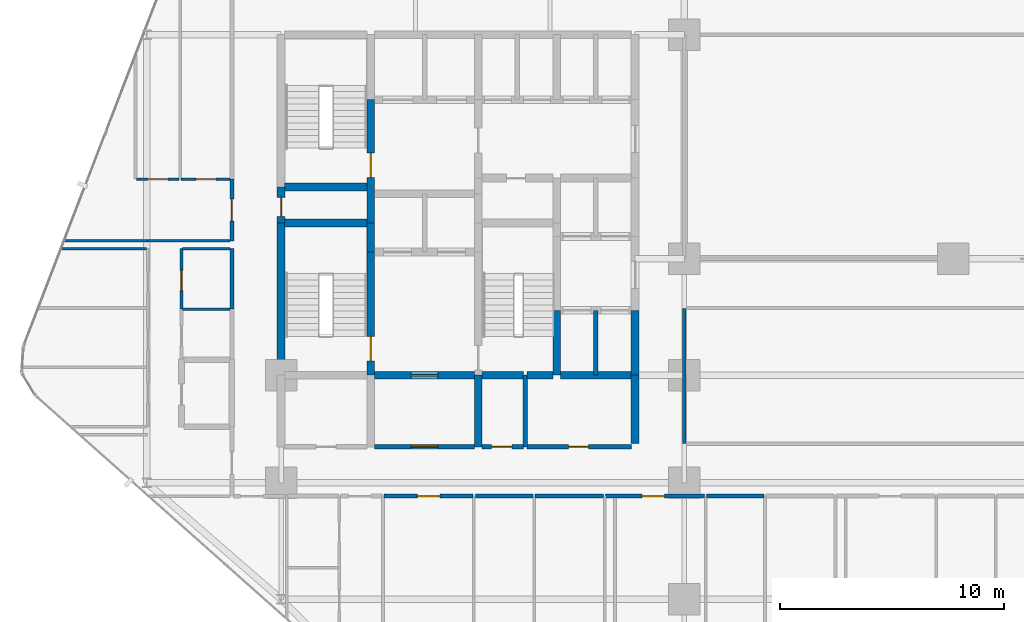
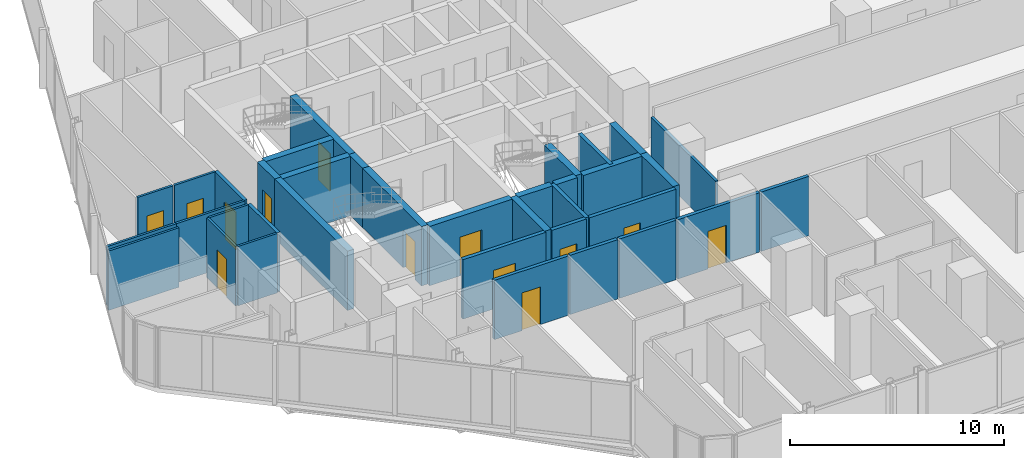
# One storey, part 28 of 35: 36 walls, 13 doors, 13 openings.
"""IFC4 building model written with IfcOpenShell, lengths in metres."""

from ifc_helpers import new_model, si_unit, direction, frame, frame_2d, origin, place, context, subcontext, project, spatial, rectangle, extrude, material, layer, layer_set, type_object, element, fill, save


model = new_model("IFC4")

# Units and contexts
model_context = context("Model", 3, precision=1e-05, world=origin(), true_north=direction((0.0, 1.0)))
body_context = subcontext(model_context, "Body", "Model", "MODEL_VIEW")
ifc_project = project(units=[si_unit("LENGTHUNIT", "METRE"), si_unit("AREAUNIT", "SQUARE_METRE"), si_unit("VOLUMEUNIT", "CUBIC_METRE"), si_unit("PLANEANGLEUNIT", "RADIAN"), si_unit("MASSUNIT", "GRAM", prefix="KILO")], contexts=[model_context])

# Site, building, storey
site_placement = place(None, origin())
site = spatial("IfcSite", under=ifc_project, at=site_placement, CompositionType="ELEMENT")
building_placement = place(site_placement, origin())
building = spatial("IfcBuilding", under=site, at=building_placement, Name="Keshet Zoharim Tower", CompositionType="ELEMENT")
storey_placement = place(building_placement, frame((0.0, 0.0, 24.0)))
storey = spatial("IfcBuildingStorey", under=building, at=storey_placement, Name="L04", CompositionType="ELEMENT", Elevation=24.0)

# Walls
ifc_material_1 = material(Name="Gypsum Plasterboard", Category="gypsum")
ifc_layer_1 = layer(ifc_material_1, 0.14990234375)
ifc_layer_set_1 = layer_set([ifc_layer_1], Name="Gypsum Plasterboard")
wall_type_1 = type_object("IfcWallType", Name="WL-CLIN-150", PredefinedType="STANDARD", material=ifc_layer_set_1)
wall_1_placement = place(storey_placement, frame((33.0, 19.659912109375, 0.0), z_axis=(0.0, 0.0, 1.0), x_axis=(0.0, 1.0, 0.0)))
element("IfcWall", 1, at=wall_1_placement, inside=storey, type_object=wall_type_1, Name="L04 Interior Wall 072", PredefinedType="STANDARD", context=body_context, shape_type="SweptSolid", body=[
    extrude(rectangle(XDim=6.030029296875, YDim=0.14990234375, at=frame_2d((3.01513671875, 0.0))), origin(), (0.0, 0.0, 1.0), 2.885009765625),
])
ifc_material_2 = material(Name="Concrete C60/75", Category="concrete")
ifc_layer_2 = layer(ifc_material_2, 0.35009765625)
ifc_layer_set_2 = layer_set([ifc_layer_2], Name="Concrete C60/75")
wall_type_2 = type_object("IfcWallType", Name="WL-CORE-350", PredefinedType="SHEAR", material=ifc_layer_set_2)
wall_2_placement = place(storey_placement, frame((15.0, 22.699951171875, 0.0), z_axis=(0.0, 0.0, 1.0), x_axis=(0.0, 1.0, 0.0)))
element("IfcWall", 2, at=wall_2_placement, inside=storey, type_object=wall_type_2, Name="L04 Core Shear Wall 016", PredefinedType="SHEAR", context=body_context, shape_type="SweptSolid", body=[
    extrude(rectangle(XDim=6.800048828125, YDim=0.35009765625, at=frame_2d((3.39990234375, 0.0))), origin(), (0.0, 0.0, 1.0), 3.385009765625),
])

# Wall, opening, door
wall_3_placement = place(storey_placement, frame((15.0, 29.5, 0.0), z_axis=(0.0, 0.0, 1.0), x_axis=(0.0, 1.0, 0.0)))
wall_3 = element("IfcWall", 3, at=wall_3_placement, inside=storey, type_object=wall_type_2, Name="L04 Core Shear Wall 017", PredefinedType="SHEAR", context=body_context, shape_type="SweptSolid", body=[
    extrude(rectangle(XDim=1.60009765625, YDim=0.35009765625, at=frame_2d((0.800048828125, 0.0))), origin(), (0.0, 0.0, 1.0), 3.385009765625),
])
opening_1_placement = place(wall_3_placement, frame((0.287109375, 0.0, 0.0)))
opening_1 = element("IfcOpeningElement", 4, at=opening_1_placement, cuts=wall_3, Name="Opening D-RS85", PredefinedType="OPENING", context=body_context, shape_type="SweptSolid", body=[
    extrude(rectangle(XDim=0.85009765625, YDim=2.10009765625, at=frame_2d((0.425048828125, 1.050048828125))), frame((0.0, 0.18505859375, 0.0), z_axis=(0.0, -1.0, 0.0), x_axis=(1.0, 0.0, 0.0)), (0.0, 0.0, 1.0), 0.3701171875),
])
ifc_material_3 = material(Name="Hardwood Timber", Category="wood")
door_type_1 = type_object("IfcDoorType", Name="DR-RIS-085", OperationType="NOTDEFINED", PredefinedType="DOOR", material=ifc_material_3)
door_1_placement = place(opening_1_placement, origin())
door_1 = element("IfcDoor", 5, at=door_1_placement, inside=storey, type_object=door_type_1, Name="L04 Electrical Riser Access Cupboard Door", OperationType="SINGLE_SWING_RIGHT", OverallHeight=2.10009765625, OverallWidth=0.85009765625, PredefinedType="DOOR", context=body_context, shape_type="SweptSolid", body=[
    extrude(rectangle(XDim=0.85009765625, YDim=2.10009765625, at=frame_2d((0.425048828125, 1.050048828125))), frame((0.0, 0.02490234375, 0.0), z_axis=(0.0, -1.0, 0.0), x_axis=(1.0, 0.0, 0.0)), (0.0, 0.0, 1.0), 0.050048828125),
])
fill(opening_1, door_1)

wall_4_placement = place(storey_placement, frame((19.0, 22.699951171875, 0.0), z_axis=(0.0, 0.0, 1.0), x_axis=(0.0, 1.0, 0.0)))
wall_4 = element("IfcWall", 6, at=wall_4_placement, inside=storey, type_object=wall_type_2, Name="L04 Core Shear Wall 026", PredefinedType="SHEAR", context=body_context, shape_type="SweptSolid", body=[
    extrude(rectangle(XDim=5.5, YDim=0.35009765625, at=frame_2d((2.75, 0.0))), origin(), (0.0, 0.0, 1.0), 3.385009765625),
])
opening_2_placement = place(wall_4_placement, frame((0.631103515625, 0.0, 0.0)))
opening_2 = element("IfcOpeningElement", 7, at=opening_2_placement, cuts=wall_4, Name="Opening D-F611", PredefinedType="OPENING", context=body_context, shape_type="SweptSolid", body=[
    extrude(rectangle(XDim=1.10009765625, YDim=2.14990234375, at=frame_2d((0.550048828125, 1.074951171875))), frame((0.0, 0.18505859375, 0.0), z_axis=(0.0, -1.0, 0.0), x_axis=(1.0, 0.0, 0.0)), (0.0, 0.0, 1.0), 0.3701171875),
])
door_type_2 = type_object("IfcDoorType", Name="DR-FD60-110", OperationType="NOTDEFINED", PredefinedType="DOOR", material=ifc_material_3)
door_2_placement = place(opening_2_placement, origin())
door_2 = element("IfcDoor", 8, at=door_2_placement, inside=storey, type_object=door_type_2, Name="L04 Exit Stair ST-01 Fire Door", OperationType="SINGLE_SWING_LEFT", OverallHeight=2.14990234375, OverallWidth=1.10009765625, PredefinedType="DOOR", context=body_context, shape_type="SweptSolid", body=[
    extrude(rectangle(XDim=1.10009765625, YDim=2.14990234375, at=frame_2d((0.550048828125, 1.074951171875))), frame((0.0, 0.02490234375, 0.0), z_axis=(0.0, -1.0, 0.0), x_axis=(1.0, 0.0, 0.0)), (0.0, 0.0, 1.0), 0.050048828125),
])
fill(opening_2, door_2)

# Wall
wall_5_placement = place(storey_placement, frame((19.0, 28.199951171875, 0.0), z_axis=(0.0, 0.0, 1.0), x_axis=(0.0, 1.0, 0.0)))
element("IfcWall", 9, at=wall_5_placement, inside=storey, type_object=wall_type_2, Name="L04 Core Shear Wall 027", PredefinedType="SHEAR", context=body_context, shape_type="SweptSolid", body=[
    extrude(rectangle(XDim=1.300048828125, YDim=0.35009765625, at=frame_2d((0.64990234375, 0.0))), origin(), (0.0, 0.0, 1.0), 3.385009765625),
])

# Wall, opening, door
wall_6_placement = place(storey_placement, frame((19.0, 29.5, 0.0), z_axis=(0.0, 0.0, 1.0), x_axis=(0.0, 1.0, 0.0)))
wall_6 = element("IfcWall", 10, at=wall_6_placement, inside=storey, type_object=wall_type_2, Name="L04 Core Shear Wall 028", PredefinedType="SHEAR", context=body_context, shape_type="SweptSolid", body=[
    extrude(rectangle(XDim=5.5, YDim=0.35009765625, at=frame_2d((2.75, 0.0))), origin(), (0.0, 0.0, 1.0), 3.385009765625),
])
opening_3_placement = place(wall_6_placement, frame((2.02490234375, 0.0, 0.0)))
opening_3 = element("IfcOpeningElement", 11, at=opening_3_placement, cuts=wall_6, Name="Opening D-F611", PredefinedType="OPENING", context=body_context, shape_type="SweptSolid", body=[
    extrude(rectangle(XDim=1.10009765625, YDim=2.14990234375, at=frame_2d((0.550048828125, 1.074951171875))), frame((0.0, 0.18505859375, 0.0), z_axis=(0.0, -1.0, 0.0), x_axis=(1.0, 0.0, 0.0)), (0.0, 0.0, 1.0), 0.3701171875),
])
door_3_placement = place(opening_3_placement, origin())
door_3 = element("IfcDoor", 12, at=door_3_placement, inside=storey, type_object=door_type_2, Name="L04 Exit Stair ST-02 Fire Door", OperationType="SINGLE_SWING_RIGHT", OverallHeight=2.14990234375, OverallWidth=1.10009765625, PredefinedType="DOOR", context=body_context, shape_type="SweptSolid", body=[
    extrude(rectangle(XDim=1.10009765625, YDim=2.14990234375, at=frame_2d((0.550048828125, 1.074951171875))), frame((0.0, 0.02490234375, 0.0), z_axis=(0.0, -1.0, 0.0), x_axis=(1.0, 0.0, 0.0)), (0.0, 0.0, 1.0), 0.050048828125),
])
fill(opening_3, door_3)

# Walls
wall_7_placement = place(storey_placement, frame((23.800048828125, 19.5, 0.0), z_axis=(0.0, 0.0, 1.0), x_axis=(0.0, 1.0, 0.0)))
element("IfcWall", 13, at=wall_7_placement, inside=storey, type_object=wall_type_2, Name="L04 Core Shear Wall 040", PredefinedType="SHEAR", context=body_context, shape_type="SweptSolid", body=[
    extrude(rectangle(XDim=3.199951171875, YDim=0.35009765625, at=frame_2d((1.60009765625, 0.0))), origin(), (0.0, 0.0, 1.0), 3.385009765625),
])
wall_8_placement = place(storey_placement, frame((27.300048828125, 22.699951171875, 0.0), z_axis=(0.0, 0.0, 1.0), x_axis=(0.0, 1.0, 0.0)))
element("IfcWall", 14, at=wall_8_placement, inside=storey, type_object=wall_type_2, Name="L04 Core Shear Wall 051", PredefinedType="SHEAR", context=body_context, shape_type="SweptSolid", body=[
    extrude(rectangle(XDim=2.900146484375, YDim=0.35009765625, at=frame_2d((1.4501953125, 0.0))), origin(), (0.0, 0.0, 1.0), 3.385009765625),
])
wall_9_placement = place(storey_placement, frame((30.800048828125, 19.64990234375, 0.0), z_axis=(0.0, 0.0, 1.0), x_axis=(0.0, 1.0, 0.0)))
element("IfcWall", 15, at=wall_9_placement, inside=storey, type_object=wall_type_2, Name="L04 Core Shear Wall 066", PredefinedType="SHEAR", context=body_context, shape_type="SweptSolid", body=[
    extrude(rectangle(XDim=3.050048828125, YDim=0.35009765625, at=frame_2d((1.52490234375, 0.0))), origin(), (0.0, 0.0, 1.0), 3.385009765625),
])
wall_10_placement = place(storey_placement, frame((30.800048828125, 22.699951171875, 0.0), z_axis=(0.0, 0.0, 1.0), x_axis=(0.0, 1.0, 0.0)))
element("IfcWall", 16, at=wall_10_placement, inside=storey, type_object=wall_type_2, Name="L04 Core Shear Wall 067", PredefinedType="SHEAR", context=body_context, shape_type="SweptSolid", body=[
    extrude(rectangle(XDim=2.900146484375, YDim=0.35009765625, at=frame_2d((1.4501953125, 0.0))), origin(), (0.0, 0.0, 1.0), 3.385009765625),
])

# Wall, opening, door
wall_11_placement = place(storey_placement, frame((19.159912109375, 22.699951171875, 0.0), z_axis=(0.0, 0.0, 1.0), x_axis=(1.0, 0.0, 0.0)))
wall_11 = element("IfcWall", 17, at=wall_11_placement, inside=storey, type_object=wall_type_2, Name="L04 Core Shear Wall 172", PredefinedType="SHEAR", context=body_context, shape_type="SweptSolid", body=[
    extrude(rectangle(XDim=4.47998046875, YDim=0.35009765625, at=frame_2d((2.239990234375, 0.0))), origin(), (0.0, 0.0, 1.0), 3.385009765625),
])
opening_4_placement = place(wall_11_placement, frame((1.639892578125, 0.0, 0.0)))
opening_4 = element("IfcOpeningElement", 18, at=opening_4_placement, cuts=wall_11, Name="Opening D-F612", PredefinedType="OPENING", context=body_context, shape_type="SweptSolid", body=[
    extrude(rectangle(XDim=1.199951171875, YDim=2.199951171875, at=frame_2d((0.60009765625, 1.10009765625))), frame((0.0, 0.18505859375, 0.0), z_axis=(0.0, -1.0, 0.0), x_axis=(1.0, 0.0, 0.0)), (0.0, 0.0, 1.0), 0.3701171875),
])
door_type_3 = type_object("IfcDoorType", Name="DR-FD60-120", OperationType="NOTDEFINED", PredefinedType="DOOR", material=ifc_material_3)
door_4_placement = place(opening_4_placement, origin())
door_4 = element("IfcDoor", 19, at=door_4_placement, inside=storey, type_object=door_type_3, Name="L04 South Core Lobby Fire Door", OperationType="SINGLE_SWING_RIGHT", OverallHeight=2.199951171875, OverallWidth=1.199951171875, PredefinedType="DOOR", context=body_context, shape_type="SweptSolid", body=[
    extrude(rectangle(XDim=1.199951171875, YDim=2.199951171875, at=frame_2d((0.60009765625, 1.10009765625))), frame((0.0, 0.02490234375, 0.0), z_axis=(0.0, -1.0, 0.0), x_axis=(1.0, 0.0, 0.0)), (0.0, 0.0, 1.0), 0.050048828125),
])
fill(opening_4, door_4)

# Walls
wall_12_placement = place(storey_placement, frame((23.9599609375, 22.699951171875, 0.0), z_axis=(0.0, 0.0, 1.0), x_axis=(1.0, 0.0, 0.0)))
element("IfcWall", 20, at=wall_12_placement, inside=storey, type_object=wall_type_2, Name="L04 Core Shear Wall 173", PredefinedType="SHEAR", context=body_context, shape_type="SweptSolid", body=[
    extrude(rectangle(XDim=1.85498046875, YDim=0.35009765625, at=frame_2d((0.927490234375, 0.0))), origin(), (0.0, 0.0, 1.0), 3.385009765625),
])
wall_13_placement = place(storey_placement, frame((25.985107421875, 22.699951171875, 0.0), z_axis=(0.0, 0.0, 1.0), x_axis=(1.0, 0.0, 0.0)))
element("IfcWall", 21, at=wall_13_placement, inside=storey, type_object=wall_type_2, Name="L04 Core Shear Wall 174", PredefinedType="SHEAR", context=body_context, shape_type="SweptSolid", body=[
    extrude(rectangle(XDim=1.15478515625, YDim=0.35009765625, at=frame_2d((0.577392578125, 0.0))), origin(), (0.0, 0.0, 1.0), 3.385009765625),
])
wall_14_placement = place(storey_placement, frame((27.4599609375, 22.699951171875, 0.0), z_axis=(0.0, 0.0, 1.0), x_axis=(1.0, 0.0, 0.0)))
element("IfcWall", 22, at=wall_14_placement, inside=storey, type_object=wall_type_2, Name="L04 Core Shear Wall 175", PredefinedType="SHEAR", context=body_context, shape_type="SweptSolid", body=[
    extrude(rectangle(XDim=3.179931640625, YDim=0.35009765625, at=frame_2d((1.58984375, 0.0))), origin(), (0.0, 0.0, 1.0), 3.385009765625),
])
for number, where, z_axis, x_axis, name in (
    (23, (15.159912109375, 29.5, 0.0), (0.0, 0.0, 1.0), (1.0, 0.0, 0.0), "L04 Core Shear Wall 189"),
    (24, (15.159912109375, 31.10009765625, 0.0), (0.0, 0.0, 1.0), (1.0, 0.0, 0.0), "L04 Core Shear Wall 192"),
):
    element("IfcWall", number, at=place(storey_placement, frame(where, z_axis=z_axis, x_axis=x_axis)), inside=storey, type_object=wall_type_2, Name=name, PredefinedType="SHEAR", context=body_context, shape_type="SweptSolid", body=[
        extrude(rectangle(XDim=3.68017578125, YDim=0.35009765625, at=frame_2d((1.840087890625, 0.0))), origin(), (0.0, 0.0, 1.0), 3.385009765625),
    ])
ifc_layer_3 = layer(ifc_material_1, 0.179931640625)
ifc_layer_set_3 = layer_set([ifc_layer_3], Name="Gypsum Plasterboard")
wall_type_3 = type_object("IfcWallType", Name="WL-CORR-180", PredefinedType="STANDARD", material=ifc_layer_set_3)
wall_15_placement = place(storey_placement, frame((12.800048828125, 25.64697265625, 0.0), z_axis=(0.0, 0.0, 1.0), x_axis=(0.0, 1.0, 0.0)))
element("IfcWall", 25, at=wall_15_placement, inside=storey, type_object=wall_type_3, Name="L04 Interior Wall 010", PredefinedType="STANDARD", context=body_context, shape_type="SweptSolid", body=[
    extrude(rectangle(XDim=2.703125, YDim=0.179931640625, at=frame_2d((1.3515625, 0.0))), origin(), (0.0, 0.0, 1.0), 3.385009765625),
])

# Wall, opening, door
wall_16_placement = place(storey_placement, frame((12.800048828125, 28.699951171875, 0.0), z_axis=(0.0, 0.0, 1.0), x_axis=(0.0, 1.0, 0.0)))
wall_16 = element("IfcWall", 26, at=wall_16_placement, inside=storey, type_object=wall_type_3, Name="L04 Interior Wall 011", PredefinedType="STANDARD", context=body_context, shape_type="SweptSolid", body=[
    extrude(rectangle(XDim=2.75, YDim=0.179931640625, at=frame_2d((1.375, 0.0))), origin(), (0.0, 0.0, 1.0), 3.385009765625),
])
opening_5_placement = place(wall_16_placement, frame((0.875, 0.0, 0.0)))
opening_5 = element("IfcOpeningElement", 27, at=opening_5_placement, cuts=wall_16, Name="Opening D-F310", PredefinedType="OPENING", context=body_context, shape_type="SweptSolid", body=[
    extrude(rectangle(XDim=1.0, YDim=2.14990234375, at=frame_2d((0.5, 1.074951171875))), frame((0.0, 0.10009765625, 0.0), z_axis=(0.0, -1.0, 0.0), x_axis=(1.0, 0.0, 0.0)), (0.0, 0.0, 1.0), 0.199951171875),
])
door_type_4 = type_object("IfcDoorType", Name="DR-FD30-100", OperationType="NOTDEFINED", PredefinedType="DOOR", material=ifc_material_3)
door_5_placement = place(opening_5_placement, origin())
door_5 = element("IfcDoor", 28, at=door_5_placement, inside=storey, type_object=door_type_4, Name="Apartment 0412 Entrance Door", OperationType="SINGLE_SWING_LEFT", OverallHeight=2.14990234375, OverallWidth=1.0, PredefinedType="DOOR", context=body_context, shape_type="SweptSolid", body=[
    extrude(rectangle(XDim=1.0, YDim=2.14990234375, at=frame_2d((0.5, 1.074951171875))), frame((0.0, 0.02490234375, 0.0), z_axis=(0.0, -1.0, 0.0), x_axis=(1.0, 0.0, 0.0)), (0.0, 0.0, 1.0), 0.050048828125),
])
fill(opening_5, door_5)

wall_17_placement = place(storey_placement, frame((19.594970703125, 17.300048828125, 0.0), z_axis=(0.0, 0.0, 1.0), x_axis=(1.0, 0.0, 0.0)))
wall_17 = element("IfcWall", 29, at=wall_17_placement, inside=storey, type_object=wall_type_3, Name="L04 Interior Wall 149", PredefinedType="STANDARD", context=body_context, shape_type="SweptSolid", body=[
    extrude(rectangle(XDim=3.97998046875, YDim=0.179931640625, at=frame_2d((1.989990234375, 0.0))), origin(), (0.0, 0.0, 1.0), 3.385009765625),
])
opening_6_placement = place(wall_17_placement, frame((1.489990234375, 0.0, 0.0)))
opening_6 = element("IfcOpeningElement", 30, at=opening_6_placement, cuts=wall_17, Name="Opening D-F310", PredefinedType="OPENING", context=body_context, shape_type="SweptSolid", body=[
    extrude(rectangle(XDim=1.0, YDim=2.14990234375, at=frame_2d((0.5, 1.074951171875))), frame((0.0, 0.10009765625, 0.0), z_axis=(0.0, -1.0, 0.0), x_axis=(1.0, 0.0, 0.0)), (0.0, 0.0, 1.0), 0.199951171875),
])
door_6_placement = place(opening_6_placement, origin())
door_6 = element("IfcDoor", 31, at=door_6_placement, inside=storey, type_object=door_type_4, Name="Apartment 0402 Entrance Door", OperationType="SINGLE_SWING_RIGHT", OverallHeight=2.14990234375, OverallWidth=1.0, PredefinedType="DOOR", context=body_context, shape_type="SweptSolid", body=[
    extrude(rectangle(XDim=1.0, YDim=2.14990234375, at=frame_2d((0.5, 1.074951171875))), frame((0.0, 0.02490234375, 0.0), z_axis=(0.0, -1.0, 0.0), x_axis=(1.0, 0.0, 0.0)), (0.0, 0.0, 1.0), 0.050048828125),
])
fill(opening_6, door_6)

# Walls
wall_18_placement = place(storey_placement, frame((23.6650390625, 17.300048828125, 0.0), z_axis=(0.0, 0.0, 1.0), x_axis=(1.0, 0.0, 0.0)))
element("IfcWall", 32, at=wall_18_placement, inside=storey, type_object=wall_type_3, Name="L04 Interior Wall 150", PredefinedType="STANDARD", context=body_context, shape_type="SweptSolid", body=[
    extrude(rectangle(XDim=2.5869140625, YDim=0.179931640625, at=frame_2d((1.29345703125, 0.0))), origin(), (0.0, 0.0, 1.0), 3.385009765625),
])
wall_19_placement = place(storey_placement, frame((26.342041015625, 17.300048828125, 0.0), z_axis=(0.0, 0.0, 1.0), x_axis=(1.0, 0.0, 0.0)))
element("IfcWall", 33, at=wall_19_placement, inside=storey, type_object=wall_type_3, Name="L04 Interior Wall 151", PredefinedType="STANDARD", context=body_context, shape_type="SweptSolid", body=[
    extrude(rectangle(XDim=3.052978515625, YDim=0.179931640625, at=frame_2d((1.5263671875, 0.0))), origin(), (0.0, 0.0, 1.0), 3.385009765625),
])

# Wall, opening, door
wall_20_placement = place(storey_placement, frame((29.485107421875, 17.300048828125, 0.0), z_axis=(0.0, 0.0, 1.0), x_axis=(1.0, 0.0, 0.0)))
wall_20 = element("IfcWall", 34, at=wall_20_placement, inside=storey, type_object=wall_type_3, Name="L04 Interior Wall 152", PredefinedType="STANDARD", context=body_context, shape_type="SweptSolid", body=[
    extrude(rectangle(XDim=4.409912109375, YDim=0.179931640625, at=frame_2d((2.205078125, 0.0))), origin(), (0.0, 0.0, 1.0), 3.385009765625),
])
opening_7_placement = place(wall_20_placement, frame((1.616943359375, 0.0, 0.0)))
opening_7 = element("IfcOpeningElement", 35, at=opening_7_placement, cuts=wall_20, Name="Opening D-F310", PredefinedType="OPENING", context=body_context, shape_type="SweptSolid", body=[
    extrude(rectangle(XDim=1.0, YDim=2.14990234375, at=frame_2d((0.5, 1.074951171875))), frame((0.0, 0.10009765625, 0.0), z_axis=(0.0, -1.0, 0.0), x_axis=(1.0, 0.0, 0.0)), (0.0, 0.0, 1.0), 0.199951171875),
])
door_7_placement = place(opening_7_placement, origin())
door_7 = element("IfcDoor", 36, at=door_7_placement, inside=storey, type_object=door_type_4, Name="Apartment 0403 Entrance Door", OperationType="SINGLE_SWING_LEFT", OverallHeight=2.14990234375, OverallWidth=1.0, PredefinedType="DOOR", context=body_context, shape_type="SweptSolid", body=[
    extrude(rectangle(XDim=1.0, YDim=2.14990234375, at=frame_2d((0.5, 1.074951171875))), frame((0.0, 0.02490234375, 0.0), z_axis=(0.0, -1.0, 0.0), x_axis=(1.0, 0.0, 0.0)), (0.0, 0.0, 1.0), 0.050048828125),
])
fill(opening_7, door_7)

# Walls
wall_21_placement = place(storey_placement, frame((33.985107421875, 17.300048828125, 0.0), z_axis=(0.0, 0.0, 1.0), x_axis=(1.0, 0.0, 0.0)))
element("IfcWall", 37, at=wall_21_placement, inside=storey, type_object=wall_type_3, Name="L04 Interior Wall 153", PredefinedType="STANDARD", context=body_context, shape_type="SweptSolid", body=[
    extrude(rectangle(XDim=2.572998046875, YDim=0.179931640625, at=frame_2d((1.28662109375, 0.0))), origin(), (0.0, 0.0, 1.0), 3.385009765625),
])
ifc_material_4 = material(Name="Concrete C50/60", Category="concrete")
ifc_layer_4 = layer(ifc_material_4, 0.199951171875)
ifc_layer_set_4 = layer_set([ifc_layer_4], Name="Concrete C50/60")
wall_type_4 = type_object("IfcWallType", Name="WL-FIRE-200", PredefinedType="STANDARD", material=ifc_layer_set_4)
wall_22_placement = place(storey_placement, frame((25.89990234375, 19.5, 0.0), z_axis=(0.0, 0.0, 1.0), x_axis=(0.0, 1.0, 0.0)))
element("IfcWall", 38, at=wall_22_placement, inside=storey, type_object=wall_type_4, Name="L04 Interior Wall 048", PredefinedType="STANDARD", context=body_context, shape_type="SweptSolid", body=[
    extrude(rectangle(XDim=3.199951171875, YDim=0.199951171875, at=frame_2d((1.60009765625, 0.0))), origin(), (0.0, 0.0, 1.0), 3.385009765625),
])
wall_23_placement = place(storey_placement, frame((29.050048828125, 22.699951171875, 0.0), z_axis=(0.0, 0.0, 1.0), x_axis=(0.0, 1.0, 0.0)))
element("IfcWall", 39, at=wall_23_placement, inside=storey, type_object=wall_type_4, Name="L04 Interior Wall 059", PredefinedType="STANDARD", context=body_context, shape_type="SweptSolid", body=[
    extrude(rectangle(XDim=2.900146484375, YDim=0.199951171875, at=frame_2d((1.4501953125, 0.0))), origin(), (0.0, 0.0, 1.0), 3.385009765625),
])

# Wall, opening, door
wall_24_placement = place(storey_placement, frame((19.159912109375, 19.5, 0.0), z_axis=(0.0, 0.0, 1.0), x_axis=(1.0, 0.0, 0.0)))
wall_24 = element("IfcWall", 40, at=wall_24_placement, inside=storey, type_object=wall_type_4, Name="L04 Interior Wall 164", PredefinedType="STANDARD", context=body_context, shape_type="SweptSolid", body=[
    extrude(rectangle(XDim=4.47998046875, YDim=0.199951171875, at=frame_2d((2.239990234375, 0.0))), origin(), (0.0, 0.0, 1.0), 3.385009765625),
])
opening_8_placement = place(wall_24_placement, frame((1.639892578125, 0.0, 0.0)))
opening_8 = element("IfcOpeningElement", 41, at=opening_8_placement, cuts=wall_24, Name="Opening D-F612", PredefinedType="OPENING", context=body_context, shape_type="SweptSolid", body=[
    extrude(rectangle(XDim=1.199951171875, YDim=2.199951171875, at=frame_2d((0.60009765625, 1.10009765625))), frame((0.0, 0.10986328125, 0.0), z_axis=(0.0, -1.0, 0.0), x_axis=(1.0, 0.0, 0.0)), (0.0, 0.0, 1.0), 0.219970703125),
])
door_8_placement = place(opening_8_placement, origin())
door_8 = element("IfcDoor", 42, at=door_8_placement, inside=storey, type_object=door_type_3, Name="L04 South Vestibule Corridor Door", OperationType="SINGLE_SWING_RIGHT", OverallHeight=2.199951171875, OverallWidth=1.199951171875, PredefinedType="DOOR", context=body_context, shape_type="SweptSolid", body=[
    extrude(rectangle(XDim=1.199951171875, YDim=2.199951171875, at=frame_2d((0.60009765625, 1.10009765625))), frame((0.0, 0.02490234375, 0.0), z_axis=(0.0, -1.0, 0.0), x_axis=(1.0, 0.0, 0.0)), (0.0, 0.0, 1.0), 0.050048828125),
])
fill(opening_8, door_8)

wall_25_placement = place(storey_placement, frame((23.9599609375, 19.5, 0.0), z_axis=(0.0, 0.0, 1.0), x_axis=(1.0, 0.0, 0.0)))
wall_25 = element("IfcWall", 43, at=wall_25_placement, inside=storey, type_object=wall_type_4, Name="L04 Interior Wall 165", PredefinedType="STANDARD", context=body_context, shape_type="SweptSolid", body=[
    extrude(rectangle(XDim=1.85498046875, YDim=0.199951171875, at=frame_2d((0.927490234375, 0.0))), origin(), (0.0, 0.0, 1.0), 3.385009765625),
])
opening_9_placement = place(wall_25_placement, frame((0.43994140625, 0.0, 0.0)))
opening_9 = element("IfcOpeningElement", 44, at=opening_9_placement, cuts=wall_25, Name="Opening D-F690", PredefinedType="OPENING", context=body_context, shape_type="SweptSolid", body=[
    extrude(rectangle(XDim=0.89990234375, YDim=2.14990234375, at=frame_2d((0.449951171875, 1.074951171875))), frame((0.0, 0.10986328125, 0.0), z_axis=(0.0, -1.0, 0.0), x_axis=(1.0, 0.0, 0.0)), (0.0, 0.0, 1.0), 0.219970703125),
])
door_type_5 = type_object("IfcDoorType", Name="DR-FD60-090", OperationType="NOTDEFINED", PredefinedType="DOOR", material=ifc_material_3)
door_9_placement = place(opening_9_placement, origin())
door_9 = element("IfcDoor", 45, at=door_9_placement, inside=storey, type_object=door_type_5, Name="L04 Cleaners Store Door", OperationType="SINGLE_SWING_LEFT", OverallHeight=2.14990234375, OverallWidth=0.89990234375, PredefinedType="DOOR", context=body_context, shape_type="SweptSolid", body=[
    extrude(rectangle(XDim=0.89990234375, YDim=2.14990234375, at=frame_2d((0.449951171875, 1.074951171875))), frame((0.0, 0.02490234375, 0.0), z_axis=(0.0, -1.0, 0.0), x_axis=(1.0, 0.0, 0.0)), (0.0, 0.0, 1.0), 0.050048828125),
])
fill(opening_9, door_9)

wall_26_placement = place(storey_placement, frame((25.985107421875, 19.5, 0.0), z_axis=(0.0, 0.0, 1.0), x_axis=(1.0, 0.0, 0.0)))
wall_26 = element("IfcWall", 46, at=wall_26_placement, inside=storey, type_object=wall_type_4, Name="L04 Interior Wall 166", PredefinedType="STANDARD", context=body_context, shape_type="SweptSolid", body=[
    extrude(rectangle(XDim=4.65478515625, YDim=0.199951171875, at=frame_2d((2.327392578125, 0.0))), origin(), (0.0, 0.0, 1.0), 3.385009765625),
])
opening_10_placement = place(wall_26_placement, frame((1.844970703125, 0.0, 0.0)))
opening_10 = element("IfcOpeningElement", 47, at=opening_10_placement, cuts=wall_26, Name="Opening D-F690", PredefinedType="OPENING", context=body_context, shape_type="SweptSolid", body=[
    extrude(rectangle(XDim=0.89990234375, YDim=2.14990234375, at=frame_2d((0.449951171875, 1.074951171875))), frame((0.0, 0.10986328125, 0.0), z_axis=(0.0, -1.0, 0.0), x_axis=(1.0, 0.0, 0.0)), (0.0, 0.0, 1.0), 0.219970703125),
])
door_10_placement = place(opening_10_placement, origin())
door_10 = element("IfcDoor", 48, at=door_10_placement, inside=storey, type_object=door_type_5, Name="L04 Meter Room Door", OperationType="SINGLE_SWING_RIGHT", OverallHeight=2.14990234375, OverallWidth=0.89990234375, PredefinedType="DOOR", context=body_context, shape_type="SweptSolid", body=[
    extrude(rectangle(XDim=0.89990234375, YDim=2.14990234375, at=frame_2d((0.449951171875, 1.074951171875))), frame((0.0, 0.02490234375, 0.0), z_axis=(0.0, -1.0, 0.0), x_axis=(1.0, 0.0, 0.0)), (0.0, 0.0, 1.0), 0.050048828125),
])
fill(opening_10, door_10)

ifc_layer_5 = layer(ifc_material_1, 0.1201171875)
ifc_layer_set_5 = layer_set([ifc_layer_5], Name="Gypsum Plasterboard")
wall_type_5 = type_object("IfcWallType", Name="WL-PART-120", PredefinedType="PARTITIONING", material=ifc_layer_set_5)
wall_27_placement = place(storey_placement, frame((10.550048828125, 25.64697265625, 0.0), z_axis=(0.0, 0.0, 1.0), x_axis=(0.0, 1.0, 0.0)))
wall_27 = element("IfcWall", 49, at=wall_27_placement, inside=storey, type_object=wall_type_5, Name="L04 Interior Wall 006", PredefinedType="PARTITIONING", context=body_context, shape_type="SweptSolid", body=[
    extrude(rectangle(XDim=2.703125, YDim=0.1201171875, at=frame_2d((1.3515625, 0.0))), origin(), (0.0, 0.0, 1.0), 3.385009765625),
])
opening_11_placement = place(wall_27_placement, frame((0.830078125, 0.0, 0.0)))
opening_11 = element("IfcOpeningElement", 50, at=opening_11_placement, cuts=wall_27, Name="Opening D-IN90", PredefinedType="OPENING", context=body_context, shape_type="SweptSolid", body=[
    extrude(rectangle(XDim=0.89990234375, YDim=2.14990234375, at=frame_2d((0.449951171875, 1.074951171875))), frame((0.0, 0.070068359375, 0.0), z_axis=(0.0, -1.0, 0.0), x_axis=(1.0, 0.0, 0.0)), (0.0, 0.0, 1.0), 0.14013671875),
])
door_type_6 = type_object("IfcDoorType", Name="DR-INT-090", OperationType="NOTDEFINED", PredefinedType="DOOR", material=ifc_material_3)
door_11_placement = place(opening_11_placement, origin())
door_11 = element("IfcDoor", 51, at=door_11_placement, inside=storey, type_object=door_type_6, Name="Apartment 0411 Kitchen Door", OperationType="SINGLE_SWING_LEFT", OverallHeight=2.14990234375, OverallWidth=0.89990234375, PredefinedType="DOOR", context=body_context, shape_type="SweptSolid", body=[
    extrude(rectangle(XDim=0.89990234375, YDim=2.14990234375, at=frame_2d((0.449951171875, 1.074951171875))), frame((0.0, 0.02490234375, 0.0), z_axis=(0.0, -1.0, 0.0), x_axis=(1.0, 0.0, 0.0)), (0.0, 0.0, 1.0), 0.050048828125),
])
fill(opening_11, door_11)

# Walls
wall_28_placement = place(storey_placement, frame((5.18310546875, 28.35009765625, 0.0), z_axis=(0.0, 0.0, 1.0), x_axis=(1.0, 0.0, 0.0)))
element("IfcWall", 52, at=wall_28_placement, inside=storey, type_object=wall_type_5, Name="L04 Interior Wall 184", PredefinedType="PARTITIONING", context=body_context, shape_type="SweptSolid", body=[
    extrude(rectangle(XDim=3.802001953125, YDim=0.1201171875, at=frame_2d((1.90087890625, 0.0))), origin(), (0.0, 0.0, 1.0), 3.385009765625),
])
wall_29_placement = place(storey_placement, frame((10.594970703125, 28.35009765625, 0.0), z_axis=(0.0, 0.0, 1.0), x_axis=(1.0, 0.0, 0.0)))
element("IfcWall", 53, at=wall_29_placement, inside=storey, type_object=wall_type_5, Name="L04 Interior Wall 185", PredefinedType="PARTITIONING", context=body_context, shape_type="SweptSolid", body=[
    extrude(rectangle(XDim=2.130126953125, YDim=0.1201171875, at=frame_2d((1.06494140625, 0.0))), origin(), (0.0, 0.0, 1.0), 3.385009765625),
])
wall_30_placement = place(storey_placement, frame((5.31689453125, 28.699951171875, 0.0), z_axis=(0.0, 0.0, 1.0), x_axis=(1.0, 0.0, 0.0)))
element("IfcWall", 54, at=wall_30_placement, inside=storey, type_object=wall_type_5, Name="L04 Interior Wall 186", PredefinedType="PARTITIONING", context=body_context, shape_type="SweptSolid", body=[
    extrude(rectangle(XDim=3.713134765625, YDim=0.1201171875, at=frame_2d((1.8564453125, 0.0))), origin(), (0.0, 0.0, 1.0), 3.385009765625),
])
wall_31_placement = place(storey_placement, frame((9.030029296875, 28.699951171875, 0.0), z_axis=(0.0, 0.0, 1.0), x_axis=(1.0, 0.0, 0.0)))
element("IfcWall", 55, at=wall_31_placement, inside=storey, type_object=wall_type_5, Name="L04 Interior Wall 187", PredefinedType="PARTITIONING", context=body_context, shape_type="SweptSolid", body=[
    extrude(rectangle(XDim=3.695068359375, YDim=0.1201171875, at=frame_2d((1.84765625, 0.0))), origin(), (0.0, 0.0, 1.0), 3.385009765625),
])

# Wall, opening, door
wall_32_placement = place(storey_placement, frame((8.544921875, 31.449951171875, 0.0), z_axis=(0.0, 0.0, 1.0), x_axis=(1.0, 0.0, 0.0)))
wall_32 = element("IfcWall", 56, at=wall_32_placement, inside=storey, type_object=wall_type_5, Name="L04 Interior Wall 193", PredefinedType="PARTITIONING", context=body_context, shape_type="SweptSolid", body=[
    extrude(rectangle(XDim=1.88818359375, YDim=0.1201171875, at=frame_2d((0.944091796875, 0.0))), origin(), (0.0, 0.0, 1.0), 3.385009765625),
])
opening_12_placement = place(wall_32_placement, frame((0.493896484375, 0.0, 0.0)))
opening_12 = element("IfcOpeningElement", 57, at=opening_12_placement, cuts=wall_32, Name="Opening D-IN90", PredefinedType="OPENING", context=body_context, shape_type="SweptSolid", body=[
    extrude(rectangle(XDim=0.89990234375, YDim=2.14990234375, at=frame_2d((0.449951171875, 1.074951171875))), frame((0.0, 0.070068359375, 0.0), z_axis=(0.0, -1.0, 0.0), x_axis=(1.0, 0.0, 0.0)), (0.0, 0.0, 1.0), 0.14013671875),
])
door_12_placement = place(opening_12_placement, origin())
door_12 = element("IfcDoor", 58, at=door_12_placement, inside=storey, type_object=door_type_6, Name="Apartment 0412 Kitchen Door", OperationType="SINGLE_SWING_RIGHT", OverallHeight=2.14990234375, OverallWidth=0.89990234375, PredefinedType="DOOR", context=body_context, shape_type="SweptSolid", body=[
    extrude(rectangle(XDim=0.89990234375, YDim=2.14990234375, at=frame_2d((0.449951171875, 1.074951171875))), frame((0.0, 0.02490234375, 0.0), z_axis=(0.0, -1.0, 0.0), x_axis=(1.0, 0.0, 0.0)), (0.0, 0.0, 1.0), 0.050048828125),
])
fill(opening_12, door_12)

# Wall
ifc_layer_6 = layer(ifc_material_1, 0.1201171875)
ifc_layer_set_6 = layer_set([ifc_layer_6], Name="Gypsum Plasterboard")
wall_type_6 = type_object("IfcWallType", Name="WL-WET-120", PredefinedType="PARTITIONING", material=ifc_layer_set_6)
wall_33_placement = place(storey_placement, frame((10.594970703125, 25.64990234375, 0.0), z_axis=(0.0, 0.0, 1.0), x_axis=(1.0, 0.0, 0.0)))
element("IfcWall", 59, at=wall_33_placement, inside=storey, type_object=wall_type_6, Name="L04 Interior Wall 179", PredefinedType="PARTITIONING", context=body_context, shape_type="SweptSolid", body=[
    extrude(rectangle(XDim=2.130126953125, YDim=0.1201171875, at=frame_2d((1.06494140625, 0.0))), origin(), (0.0, 0.0, 1.0), 3.385009765625),
])

# Wall, opening, door
wall_34_placement = place(storey_placement, frame((10.52294921875, 31.449951171875, 0.0), z_axis=(0.0, 0.0, 1.0), x_axis=(1.0, 0.0, 0.0)))
wall_34 = element("IfcWall", 60, at=wall_34_placement, inside=storey, type_object=wall_type_6, Name="L04 Interior Wall 194", PredefinedType="PARTITIONING", context=body_context, shape_type="SweptSolid", body=[
    extrude(rectangle(XDim=2.2021484375, YDim=0.1201171875, at=frame_2d((1.10107421875, 0.0))), origin(), (0.0, 0.0, 1.0), 3.385009765625),
])
opening_13_placement = place(wall_34_placement, frame((0.666015625, 0.0, 0.0)))
opening_13 = element("IfcOpeningElement", 61, at=opening_13_placement, cuts=wall_34, Name="Opening D-WT90", PredefinedType="OPENING", context=body_context, shape_type="SweptSolid", body=[
    extrude(rectangle(XDim=0.89990234375, YDim=2.10009765625, at=frame_2d((0.449951171875, 1.050048828125))), frame((0.0, 0.070068359375, 0.0), z_axis=(0.0, -1.0, 0.0), x_axis=(1.0, 0.0, 0.0)), (0.0, 0.0, 1.0), 0.14013671875),
])
door_type_7 = type_object("IfcDoorType", Name="DR-WET-090", OperationType="NOTDEFINED", PredefinedType="DOOR", material=ifc_material_3)
door_13_placement = place(opening_13_placement, origin())
door_13 = element("IfcDoor", 62, at=door_13_placement, inside=storey, type_object=door_type_7, Name="Apartment 0412 Bathroom Door", OperationType="SINGLE_SWING_LEFT", OverallHeight=2.10009765625, OverallWidth=0.89990234375, PredefinedType="DOOR", context=body_context, shape_type="SweptSolid", body=[
    extrude(rectangle(XDim=0.89990234375, YDim=2.10009765625, at=frame_2d((0.449951171875, 1.050048828125))), frame((0.0, 0.02490234375, 0.0), z_axis=(0.0, -1.0, 0.0), x_axis=(1.0, 0.0, 0.0)), (0.0, 0.0, 1.0), 0.050048828125),
])
fill(opening_13, door_13)

save(model, "model.ifc")
